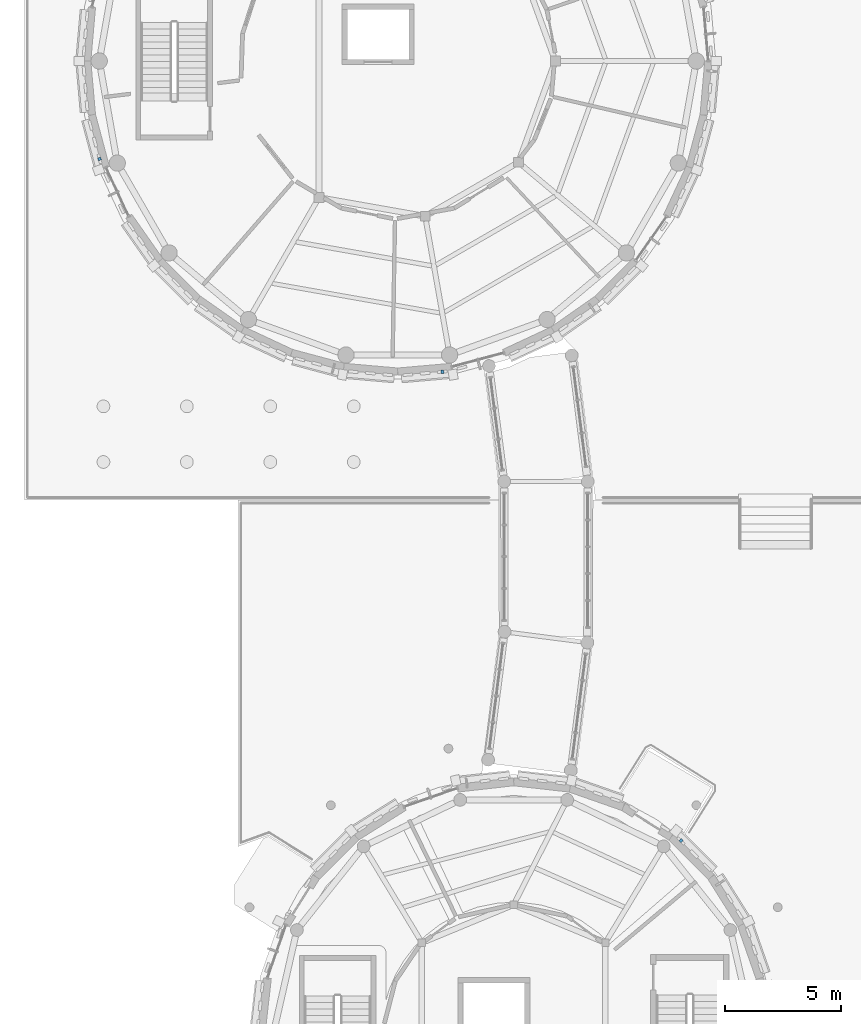
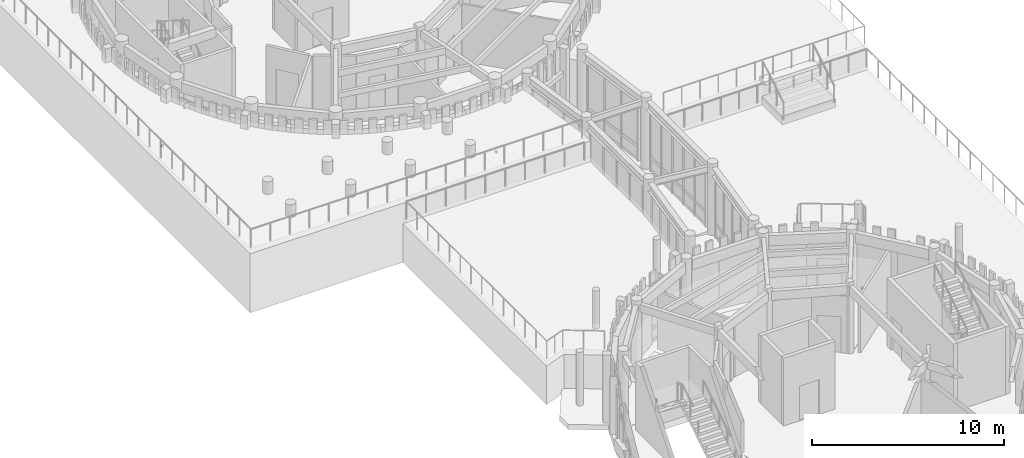
# One storey, part 62 of 94: 3 discrete accessories.
"""IFC4 building model written with IfcOpenShell, lengths in metres."""

from ifc_helpers import new_model, si_unit, direction, frame, origin, origin_2d, place, context, subcontext, project, spatial, rectangle, extrude, material, type_object, element, save


model = new_model("IFC4")

# Units and contexts
model_context = context("Model", 3, precision=1e-05, world=origin(), true_north=direction((0.0, 1.0)))
body_context = subcontext(model_context, "Body", "Model", "MODEL_VIEW")
ifc_project = project(units=[si_unit("LENGTHUNIT", "METRE"), si_unit("AREAUNIT", "SQUARE_METRE"), si_unit("VOLUMEUNIT", "CUBIC_METRE"), si_unit("PLANEANGLEUNIT", "RADIAN"), si_unit("MASSUNIT", "GRAM", prefix="KILO")], contexts=[model_context])

# Site, building, storey
site_placement = place(None, origin())
site = spatial("IfcSite", under=ifc_project, at=site_placement, CompositionType="ELEMENT")
building_placement = place(site_placement, origin())
building = spatial("IfcBuilding", under=site, at=building_placement, Name="Aldenvaro Health Centre", CompositionType="ELEMENT")
storey_placement = place(building_placement, origin())
storey = spatial("IfcBuildingStorey", under=building, at=storey_placement, Name="L00", CompositionType="ELEMENT", Elevation=0.0)

# Discrete accessories
ifc_material = material(Name="Stainless Steel AISI 316", Category="steel")
discrete_accessory_type = type_object("IfcDiscreteAccessoryType", Name="ACC-BRK-01", PredefinedType="BRACKET", material=ifc_material)
for number, where, z_axis, x_axis, name in (
    (1, (30.72705078125, 65.85888671875, 0.18994140625), (0.0, 0.0, 1.0), (0.707106781187, -0.707106781187, 0.0), "D3 L00 stainless fin bracket 25"),
    (2, (20.424072265625, 86.093017578125, 0.18994140625), (0.0, 0.0, 1.0), (-0.996179299052, -0.087331575855, 0.0), "D4 L00 stainless fin bracket 9"),
    (3, (5.6298828125, 95.277099609375, 0.18994140625), (0.0, 0.0, 1.0), (-0.258621935517, 0.965978620089, 0.0), "D4 L00 stainless fin bracket 17"),
):
    element("IfcDiscreteAccessory", number, at=place(storey_placement, frame(where, z_axis=z_axis, x_axis=x_axis)), inside=storey, type_object=discrete_accessory_type, Name=name, PredefinedType="BRACKET", context=body_context, shape_type="SweptSolid", body=[
        extrude(rectangle(XDim=0.1201171875, YDim=0.139892578125, at=origin_2d()), origin(), (0.0, 0.0, 1.0), 0.1201171875),
    ])

save(model, "model.ifc")
